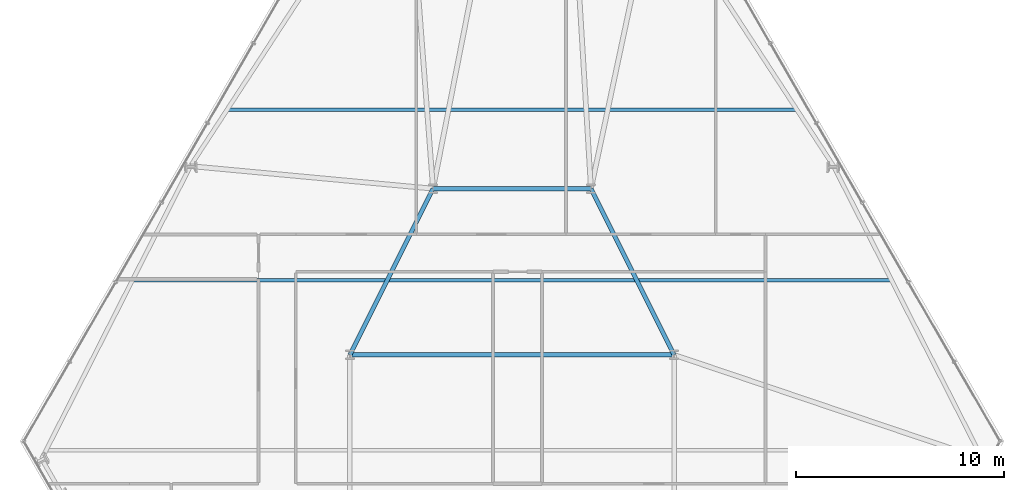
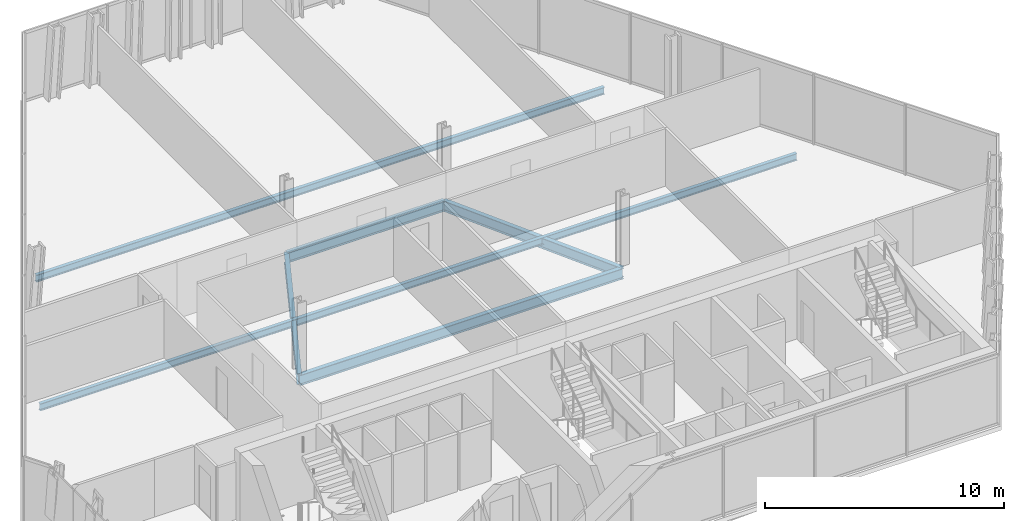
# One storey, part 13 of 32: 6 beams.
"""IFC4 building model written with IfcOpenShell, lengths in metres."""

from ifc_helpers import new_model, si_unit, direction, frame, origin, origin_2d, place, context, subcontext, project, spatial, i_section, extrude, material, material_profile, profile_set, type_object, element, save


model = new_model("IFC4")

# Units and contexts
model_context = context("Model", 3, precision=1e-05, world=origin(), true_north=direction((0.0, 1.0)))
body_context = subcontext(model_context, "Body", "Model", "MODEL_VIEW")
ifc_project = project(units=[si_unit("LENGTHUNIT", "METRE"), si_unit("AREAUNIT", "SQUARE_METRE"), si_unit("VOLUMEUNIT", "CUBIC_METRE"), si_unit("PLANEANGLEUNIT", "RADIAN"), si_unit("MASSUNIT", "GRAM", prefix="KILO")], contexts=[model_context])

# Site, building, storey
site_placement = place(None, origin())
site = spatial("IfcSite", under=ifc_project, at=site_placement, CompositionType="ELEMENT")
building_placement = place(site_placement, origin())
building = spatial("IfcBuilding", under=site, at=building_placement, Name="Ndaravel Arena Tower", CompositionType="ELEMENT")
storey_placement = place(building_placement, frame((0.0, 0.0, 55.0)))
storey = spatial("IfcBuildingStorey", under=building, at=storey_placement, Name="L11", CompositionType="ELEMENT", Elevation=55.0)

# Beams
ifc_material_1 = material(Name="Steel S355", Category="steel")
ifc_material_profile_1 = material_profile(ifc_material_1, i_section(OverallWidth=0.210693359375, OverallDepth=0.53955078125, WebThickness=0.01171875, FlangeThickness=0.018798828125, FilletRadius=0.0126953125, at=origin_2d()), Name="UB 533x210x109")
ifc_profile_set_1 = profile_set([ifc_material_profile_1], Name="Steel S355")
beam_type_1 = type_object("IfcBeamType", Name="BM-GIRD-UB533", PredefinedType="BEAM", material=ifc_profile_set_1)
beam_1_placement = place(storey_placement, frame((34.199951171875, 23.199951171875, -0.48974609375), z_axis=(1.0, 0.0, 0.0), x_axis=(0.0, 1.0, 0.0)))
element("IfcBeam", 1, at=beam_1_placement, inside=storey, type_object=beam_type_1, Name="L11 Spine Link Girder SLG-03", PredefinedType="BEAM", context=body_context, shape_type="SweptSolid", body=[
    extrude(i_section(OverallWidth=0.210693359375, OverallDepth=0.53955078125, WebThickness=0.01171875, FlangeThickness=0.018798828125, FilletRadius=0.0126953125, at=origin_2d()), origin(), (0.0, 0.0, 1.0), 15.60009765625),
])
for number, where, z_axis, x_axis, name in (
    (2, (34.199951171875, 23.199951171875, -0.48974609375), (0.4472135955, 0.894427191, 0.0), (-0.894427191, 0.4472135955, 0.0), "L11 Spine Link Girder SLG-04"),
    (3, (49.800048828125, 23.199951171875, -0.48974609375), (-0.4472135955, 0.894427191, 0.0), (-0.894427191, -0.4472135955, 0.0), "L11 Spine Link Girder SLG-05"),
):
    element("IfcBeam", number, at=place(storey_placement, frame(where, z_axis=z_axis, x_axis=x_axis)), inside=storey, type_object=beam_type_1, Name=name, PredefinedType="BEAM", context=body_context, shape_type="SweptSolid", body=[
        extrude(i_section(OverallWidth=0.210693359375, OverallDepth=0.53955078125, WebThickness=0.01171875, FlangeThickness=0.018798828125, FilletRadius=0.0126953125, at=origin_2d()), origin(), (0.0, 0.0, 1.0), 8.9443359375),
    ])
beam_2_placement = place(storey_placement, frame((38.199951171875, 31.199951171875, -0.48974609375), z_axis=(1.0, 0.0, 0.0), x_axis=(0.0, 1.0, 0.0)))
element("IfcBeam", 4, at=beam_2_placement, inside=storey, type_object=beam_type_1, Name="L11 Spine Link Girder SLG-06", PredefinedType="BEAM", context=body_context, shape_type="SweptSolid", body=[
    extrude(i_section(OverallWidth=0.210693359375, OverallDepth=0.53955078125, WebThickness=0.01171875, FlangeThickness=0.018798828125, FilletRadius=0.0126953125, at=origin_2d()), origin(), (0.0, 0.0, 1.0), 7.60009765625),
])
ifc_material_2 = material(Name="Steel S355", Category="steel")
ifc_material_profile_2 = material_profile(ifc_material_2, i_section(OverallWidth=0.169921875, OverallDepth=0.360107421875, WebThickness=0.008056640625, FlangeThickness=0.0126953125, FilletRadius=0.01806640625, at=origin_2d()), Name="IPE 360")
ifc_profile_set_2 = profile_set([ifc_material_profile_2], Name="Steel S355")
beam_type_2 = type_object("IfcBeamType", Name="BM-JOIST-IPE360", PredefinedType="JOIST", material=ifc_profile_set_2)
beam_3_placement = place(storey_placement, frame((23.73779296875, 26.800048828125, -0.39990234375), z_axis=(1.0, 0.0, 0.0), x_axis=(0.0, 1.0, 0.0)))
element("IfcBeam", 5, at=beam_3_placement, inside=storey, type_object=beam_type_2, Name="L11 Composite Floor Joist FJ-02", PredefinedType="JOIST", context=body_context, shape_type="SweptSolid", body=[
    extrude(i_section(OverallWidth=0.169921875, OverallDepth=0.360107421875, WebThickness=0.008056640625, FlangeThickness=0.0126953125, FilletRadius=0.01806640625, at=origin_2d()), origin(), (0.0, 0.0, 1.0), 36.5244140625),
])
beam_4_placement = place(storey_placement, frame((28.29150390625, 35.0, -0.39990234375), z_axis=(1.0, 0.0, 0.0), x_axis=(0.0, 1.0, 0.0)))
element("IfcBeam", 6, at=beam_4_placement, inside=storey, type_object=beam_type_2, Name="L11 Composite Floor Joist FJ-03", PredefinedType="JOIST", context=body_context, shape_type="SweptSolid", body=[
    extrude(i_section(OverallWidth=0.169921875, OverallDepth=0.360107421875, WebThickness=0.008056640625, FlangeThickness=0.0126953125, FilletRadius=0.01806640625, at=origin_2d()), origin(), (0.0, 0.0, 1.0), 27.4169921875),
])

save(model, "model.ifc")
